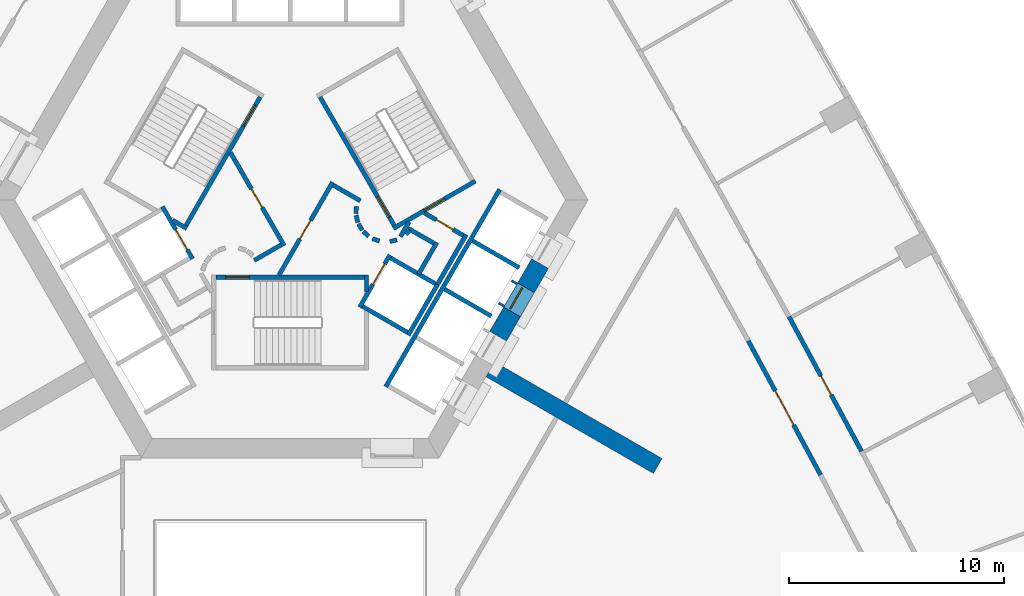
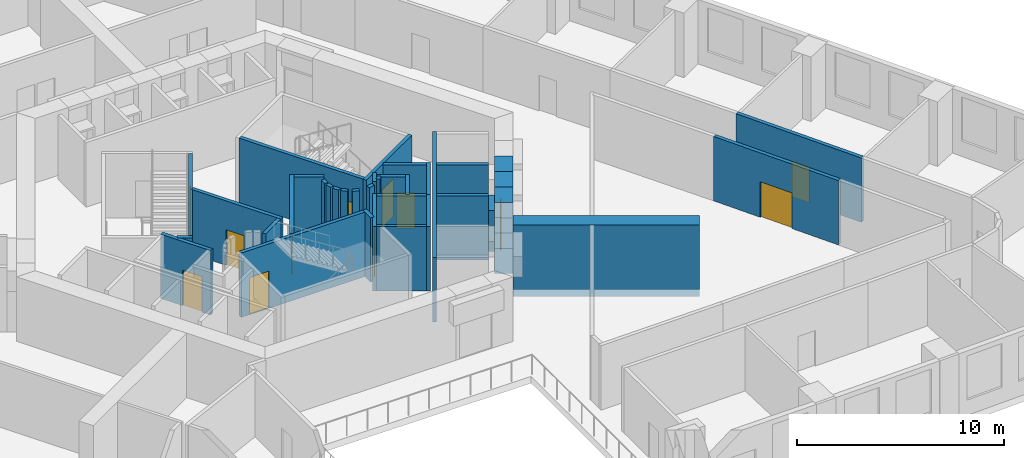
# One storey, part 7 of 13: 37 walls, 12 doors, 12 openings.
"""IFC4 building model written with IfcOpenShell, lengths in metres."""

from ifc_helpers import new_model, si_unit, direction, frame, frame_2d, origin, place, context, subcontext, project, spatial, polyline, rectangle, outline, extrude, material, layer, layer_set, type_object, element, fill, save


model = new_model("IFC4")

# Units and contexts
model_context = context("Model", 3, precision=1e-05, world=origin(), true_north=direction((0.0, 1.0)))
body_context = subcontext(model_context, "Body", "Model", "MODEL_VIEW")
ifc_project = project(units=[si_unit("LENGTHUNIT", "METRE"), si_unit("AREAUNIT", "SQUARE_METRE"), si_unit("VOLUMEUNIT", "CUBIC_METRE"), si_unit("PLANEANGLEUNIT", "RADIAN"), si_unit("MASSUNIT", "GRAM", prefix="KILO")], contexts=[model_context])

# Site, building, storey
site_placement = place(None, origin())
site = spatial("IfcSite", under=ifc_project, at=site_placement, CompositionType="ELEMENT")
building_placement = place(site_placement, origin())
building = spatial("IfcBuilding", under=site, at=building_placement, Name="Entoto Arch Interchange Tower", CompositionType="ELEMENT")
storey_placement = place(building_placement, frame((0.0, 0.0, 90.800048828125)))
storey = spatial("IfcBuildingStorey", under=building, at=storey_placement, Name="L19", CompositionType="ELEMENT", Elevation=90.800048828125)

# Walls
ifc_material_1 = material(Name="Concrete C60/75", Category="concrete")
ifc_layer_1 = layer(ifc_material_1, 0.800048828125)
ifc_layer_set_1 = layer_set([ifc_layer_1], Name="Concrete C60/75")
wall_type_1 = type_object("IfcWallType", Name="Buttress wall 800 C60/75", PredefinedType="SHEAR", material=ifc_layer_set_1)
wall_1_placement = place(storey_placement, frame((9.31005859375, -5.375, -0.400146484375), z_axis=(0.0, 0.0, 1.0), x_axis=(0.866017533419, -0.500013631625, 0.0)))
element("IfcWall", 1, at=wall_1_placement, inside=storey, type_object=wall_type_1, Name="Buttress wall SE L19", PredefinedType="SHEAR", context=body_context, shape_type="SweptSolid", body=[
    extrude(rectangle(XDim=8.999755859375, YDim=0.800048828125, at=frame_2d((4.5, 0.0))), origin(), (0.0, 0.0, 1.0), 4.2001953125),
])
ifc_layer_2 = layer(ifc_material_1, 0.89990234375)
ifc_layer_set_2 = layer_set([ifc_layer_2], Name="Concrete C60/75")
wall_type_2 = type_object("IfcWallType", Name="Core wall 900 C60/75", PredefinedType="SHEAR", material=ifc_layer_set_2)
wall_2_placement = place(storey_placement, frame((0.0, 0.0, -0.400146484375)))
element("IfcWall", 2, at=wall_2_placement, inside=storey, type_object=wall_type_2, Name="Core wall SE L19", PredefinedType="SHEAR", context=body_context, shape_type="SweptSolid", body=[
    extrude(outline(polyline([(10.717041015625, -2.93701171875), (9.93798828125, -2.487060546875), (9.2880859375, -3.613037109375), (10.06689453125, -4.06298828125), (10.717041015625, -2.93701171875)])), origin(), (0.0, 0.0, 1.0), 4.2001953125),
])
wall_3_placement = place(storey_placement, frame((0.0, 0.0, -0.400146484375)))
element("IfcWall", 3, at=wall_3_placement, inside=storey, type_object=wall_type_2, Name="Core wall SE L19", PredefinedType="SHEAR", context=body_context, shape_type="SweptSolid", body=[
    extrude(outline(polyline([(12.01708984375, -0.68603515625), (11.238037109375, -0.236083984375), (10.587890625, -1.361083984375), (11.366943359375, -1.81103515625), (12.01708984375, -0.68603515625)])), origin(), (0.0, 0.0, 1.0), 4.2001953125),
])
wall_4_placement = place(storey_placement, frame((0.0, 0.0, 3.599853515625)))
element("IfcWall", 4, at=wall_4_placement, inside=storey, type_object=wall_type_2, Name="Core wall lintel SE L19", PredefinedType="SHEAR", context=body_context, shape_type="SweptSolid", body=[
    extrude(outline(polyline([(11.366943359375, -1.81103515625), (10.587890625, -1.361083984375), (9.93798828125, -2.487060546875), (10.717041015625, -2.93701171875), (11.366943359375, -1.81103515625)])), origin(), (0.0, 0.0, 1.0), 0.2001953125),
])

# Wall, opening, door
ifc_material_2 = material(Name="Concrete C40/50", Category="concrete")
ifc_layer_3 = layer(ifc_material_2, 1.199951171875)
ifc_layer_set_3 = layer_set([ifc_layer_3], Name="Concrete C40/50")
wall_type_3 = type_object("IfcWallType", Name="LIFT LANDING INFILL WALL", PredefinedType="STANDARD", material=ifc_layer_set_3)
wall_5_placement = place(storey_placement, frame((10.197998046875, -2.636962890625, 0.0), z_axis=(0.0, 0.0, 1.0), x_axis=(0.49989585183, 0.866085525409, 0.0)))
wall_5 = element("IfcWall", 5, at=wall_5_placement, inside=storey, type_object=wall_type_3, Name="Lift landing infill wall LR7 L19", PredefinedType="STANDARD", context=body_context, shape_type="SweptSolid", body=[
    extrude(rectangle(XDim=1.300048828125, YDim=1.199951171875, at=frame_2d((0.64990234375, 0.0))), origin(), (0.0, 0.0, 1.0), 2.39990234375),
])
opening_1_placement = place(wall_5_placement, frame((0.10009765625, 0.0, 0.0)))
opening_1 = element("IfcOpeningElement", 6, at=opening_1_placement, cuts=wall_5, Name="Opening LD-LR7-L19", PredefinedType="OPENING", context=body_context, shape_type="SweptSolid", body=[
    extrude(rectangle(XDim=1.10009765625, YDim=2.300048828125, at=frame_2d((0.550048828125, 1.14990234375))), frame((0.0, 0.60986328125, 0.0), z_axis=(0.0, -1.0, 0.0), x_axis=(1.0, 0.0, 0.0)), (0.0, 0.0, 1.0), 1.219970703125),
])
ifc_material_3 = material(Name="Stainless steel 1.4301 panels", Category="steel")
door_type_1 = type_object("IfcDoorType", Name="LIFT LANDING DOOR LD2 1100x2300", OperationType="SLIDING_TO_LEFT", PredefinedType="DOOR", material=ifc_material_3)
door_1_placement = place(opening_1_placement, origin())
door_1 = element("IfcDoor", 7, at=door_1_placement, inside=storey, type_object=door_type_1, Name="Lift landing door LR7 L19", OperationType="SLIDING_TO_LEFT", OverallHeight=2.300048828125, OverallWidth=1.10009765625, PredefinedType="DOOR", context=body_context, shape_type="SweptSolid", body=[
    extrude(rectangle(XDim=1.10009765625, YDim=2.300048828125, at=frame_2d((0.550048828125, 1.14990234375))), frame((0.0, 0.02490234375, 0.0), z_axis=(0.0, -1.0, 0.0), x_axis=(1.0, 0.0, 0.0)), (0.0, 0.0, 1.0), 0.050048828125),
])
fill(opening_1, door_1)

ifc_layer_4 = layer(ifc_material_2, 0.199951171875)
ifc_layer_set_4 = layer_set([ifc_layer_4], Name="Concrete C40/50")
wall_type_4 = type_object("IfcWallType", Name="LIFT SHAFT WALL 200", PredefinedType="STANDARD", material=ifc_layer_set_4)
wall_6_placement = place(storey_placement, frame((-5.93994140625, 2.18798828125, 0.0), z_axis=(0.0, 0.0, 1.0), x_axis=(0.49994636267, -0.866056369097, 0.0)))
wall_6 = element("IfcWall", 8, at=wall_6_placement, inside=storey, type_object=wall_type_4, Name="Shaft wall SW1 front", PredefinedType="STANDARD", context=body_context, shape_type="SweptSolid", body=[
    extrude(rectangle(XDim=2.800048828125, YDim=0.199951171875, at=frame_2d((1.39990234375, 0.0))), origin(), (0.0, 0.0, 1.0), 3.800048828125),
])
opening_2_placement = place(wall_6_placement, frame((1.22509765625, 0.0, 0.0)))
opening_2 = element("IfcOpeningElement", 9, at=opening_2_placement, cuts=wall_6, Name="Opening LD-FF2-L19", PredefinedType="OPENING", context=body_context, shape_type="SweptSolid", body=[
    extrude(rectangle(XDim=1.10009765625, YDim=2.10009765625, at=frame_2d((0.550048828125, 1.050048828125))), frame((0.0, 0.10986328125, 0.0), z_axis=(0.0, -1.0, 0.0), x_axis=(1.0, 0.0, 0.0)), (0.0, 0.0, 1.0), 0.219970703125),
])
door_type_2 = type_object("IfcDoorType", Name="LIFT LANDING DOOR LD1 1100x2100", OperationType="SLIDING_TO_LEFT", PredefinedType="DOOR", material=ifc_material_3)
door_2_placement = place(opening_2_placement, origin())
door_2 = element("IfcDoor", 10, at=door_2_placement, inside=storey, type_object=door_type_2, Name="Lift landing door FF2 L19", OperationType="SLIDING_TO_LEFT", OverallHeight=2.10009765625, OverallWidth=1.10009765625, PredefinedType="DOOR", context=body_context, shape_type="SweptSolid", body=[
    extrude(rectangle(XDim=1.10009765625, YDim=2.10009765625, at=frame_2d((0.550048828125, 1.050048828125))), frame((0.0, 0.02490234375, 0.0), z_axis=(0.0, -1.0, 0.0), x_axis=(1.0, 0.0, 0.0)), (0.0, 0.0, 1.0), 0.050048828125),
])
fill(opening_2, door_2)

wall_7_placement = place(storey_placement, frame((3.239990234375, -2.488037109375, 0.0), z_axis=(0.0, 0.0, 1.0), x_axis=(0.49994636267, 0.866056369097, 0.0)))
wall_7 = element("IfcWall", 11, at=wall_7_placement, inside=storey, type_object=wall_type_4, Name="Shaft wall SE1 front", PredefinedType="STANDARD", context=body_context, shape_type="SweptSolid", body=[
    extrude(rectangle(XDim=2.800048828125, YDim=0.199951171875, at=frame_2d((1.39990234375, 0.0))), origin(), (0.0, 0.0, 1.0), 3.800048828125),
])
opening_3_placement = place(wall_7_placement, frame((1.22509765625, 0.0, 0.0)))
opening_3 = element("IfcOpeningElement", 12, at=opening_3_placement, cuts=wall_7, Name="Opening LD-FF1-L19", PredefinedType="OPENING", context=body_context, shape_type="SweptSolid", body=[
    extrude(rectangle(XDim=1.10009765625, YDim=2.10009765625, at=frame_2d((0.550048828125, 1.050048828125))), frame((0.0, 0.10986328125, 0.0), z_axis=(0.0, -1.0, 0.0), x_axis=(1.0, 0.0, 0.0)), (0.0, 0.0, 1.0), 0.219970703125),
])
door_3_placement = place(opening_3_placement, origin())
door_3 = element("IfcDoor", 13, at=door_3_placement, inside=storey, type_object=door_type_2, Name="Lift landing door FF1 L19", OperationType="SLIDING_TO_LEFT", OverallHeight=2.10009765625, OverallWidth=1.10009765625, PredefinedType="DOOR", context=body_context, shape_type="SweptSolid", body=[
    extrude(rectangle(XDim=1.10009765625, YDim=2.10009765625, at=frame_2d((0.550048828125, 1.050048828125))), frame((0.0, 0.02490234375, 0.0), z_axis=(0.0, -1.0, 0.0), x_axis=(1.0, 0.0, 0.0)), (0.0, 0.0, 1.0), 0.050048828125),
])
fill(opening_3, door_3)

# Walls
wall_8_placement = place(storey_placement, frame((5.491943359375, -3.7880859375, 0.0), z_axis=(0.0, 0.0, 1.0), x_axis=(0.500011755427, 0.866018616679, 0.0)))
element("IfcWall", 14, at=wall_8_placement, inside=storey, type_object=wall_type_4, Name="Shaft wall SE1 back", PredefinedType="STANDARD", context=body_context, shape_type="SweptSolid", body=[
    extrude(rectangle(XDim=2.80029296875, YDim=0.199951171875, at=frame_2d((1.400146484375, 0.0))), origin(), (0.0, 0.0, 1.0), 3.800048828125),
])
wall_9_placement = place(storey_placement, frame((3.376953125, -2.451904296875, 0.0), z_axis=(0.0, 0.0, 1.0), x_axis=(0.865955154139, -0.50012165622, 0.0)))
element("IfcWall", 15, at=wall_9_placement, inside=storey, type_object=wall_type_4, Name="Shaft wall SE1 cross 1", PredefinedType="STANDARD", context=body_context, shape_type="SweptSolid", body=[
    extrude(rectangle(XDim=2.39990234375, YDim=0.199951171875, at=frame_2d((1.199951171875, 0.0))), origin(), (0.0, 0.0, 1.0), 3.800048828125),
])
wall_10_placement = place(storey_placement, frame((4.677001953125, -0.199951171875, 0.0), z_axis=(0.0, 0.0, 1.0), x_axis=(0.865973769406, -0.500089422704, 0.0)))
element("IfcWall", 16, at=wall_10_placement, inside=storey, type_object=wall_type_4, Name="Shaft wall SE1 cross 2", PredefinedType="STANDARD", context=body_context, shape_type="SweptSolid", body=[
    extrude(rectangle(XDim=2.3994140625, YDim=0.199951171875, at=frame_2d((1.19970703125, 0.0))), origin(), (0.0, 0.0, 1.0), 3.800048828125),
])
wall_11_placement = place(storey_placement, frame((4.450927734375, -6.18994140625, 0.0), z_axis=(0.0, 0.0, 1.0), x_axis=(0.50000090737, 0.866024879913, 0.0)))
element("IfcWall", 17, at=wall_11_placement, inside=storey, type_object=wall_type_4, Name="Shaft wall SE3 front", PredefinedType="STANDARD", context=body_context, shape_type="SweptSolid", body=[
    extrude(rectangle(XDim=10.60009765625, YDim=0.199951171875, at=frame_2d((5.300048828125, 0.0))), origin(), (0.0, 0.0, 1.0), 3.800048828125),
])
for number, where, z_axis, x_axis, name in (
    (18, (7.18798828125, -1.64990234375, 0.0), (0.0, 0.0, 1.0), (0.866022959057, -0.500004234368, 0.0), "Shaft wall SE3 cross 3"),
    (19, (8.488037109375, 0.60205078125, 0.0), (0.0, 0.0, 1.0), (0.866022959057, -0.500004234368, 0.0), "Shaft wall SE3 cross 4"),
):
    element("IfcWall", number, at=place(storey_placement, frame(where, z_axis=z_axis, x_axis=x_axis)), inside=storey, type_object=wall_type_4, Name=name, PredefinedType="STANDARD", context=body_context, shape_type="SweptSolid", body=[
        extrude(rectangle(XDim=2.5, YDim=0.199951171875, at=frame_2d((1.25, 0.0))), origin(), (0.0, 0.0, 1.0), 3.800048828125),
    ])

# Wall, opening, door
ifc_material_4 = material(Name="Gypsum board partition on steel studs", Category="steel")
ifc_layer_5 = layer(ifc_material_4, 0.199951171875)
ifc_layer_set_5 = layer_set([ifc_layer_5], Name="Gypsum board partition on steel studs")
wall_type_5 = type_object("IfcWallType", Name="PARTITION 200", PredefinedType="PARTITIONING", material=ifc_layer_set_5)
wall_12_placement = place(storey_placement, frame((24.677978515625, -10.2900390625, 0.0), z_axis=(0.0, 0.0, 1.0), x_axis=(-0.474391588657, 0.880313932987, 0.0)))
wall_12 = element("IfcWall", 20, at=wall_12_placement, inside=storey, type_object=wall_type_5, Name="wall:L19:p017", PredefinedType="PARTITIONING", context=body_context, shape_type="SweptSolid", body=[
    extrude(rectangle(XDim=7.0849609375, YDim=0.199951171875, at=frame_2d((3.54248046875, 0.0))), origin(), (0.0, 0.0, 1.0), 3.800048828125),
])
opening_4_placement = place(wall_12_placement, frame((2.64208984375, 0.0, 0.0)))
opening_4 = element("IfcOpeningElement", 21, at=opening_4_placement, cuts=wall_12, Name="Opening L19-D23", PredefinedType="OPENING", context=body_context, shape_type="SweptSolid", body=[
    extrude(rectangle(XDim=1.800048828125, YDim=2.10009765625, at=frame_2d((0.89990234375, 1.050048828125))), frame((0.0, 0.10986328125, 0.0), z_axis=(0.0, -1.0, 0.0), x_axis=(1.0, 0.0, 0.0)), (0.0, 0.0, 1.0), 0.219970703125),
])
ifc_material_5 = material(Name="Timber door leaf in Steel S235 frame", Category="steel")
door_type_3 = type_object("IfcDoorType", Name="DOOR DD-18 1800x2100", OperationType="DOUBLE_DOOR_SINGLE_SWING", PredefinedType="DOOR", material=ifc_material_5)
door_4_placement = place(opening_4_placement, origin())
door_4 = element("IfcDoor", 22, at=door_4_placement, inside=storey, type_object=door_type_3, Name="door:L19:23", OperationType="DOUBLE_DOOR_SINGLE_SWING", OverallHeight=2.10009765625, OverallWidth=1.800048828125, PredefinedType="DOOR", context=body_context, shape_type="SweptSolid", body=[
    extrude(rectangle(XDim=1.800048828125, YDim=2.10009765625, at=frame_2d((0.89990234375, 1.050048828125))), frame((0.0, 0.02490234375, 0.0), z_axis=(0.0, -1.0, 0.0), x_axis=(1.0, 0.0, 0.0)), (0.0, 0.0, 1.0), 0.050048828125),
])
fill(opening_4, door_4)

wall_13_placement = place(storey_placement, frame((23.2119140625, -2.931884765625, 0.0), z_axis=(0.0, 0.0, 1.0), x_axis=(0.474404892994, -0.880306763295, 0.0)))
wall_13 = element("IfcWall", 23, at=wall_13_placement, inside=storey, type_object=wall_type_5, Name="wall:L19:p040", PredefinedType="PARTITIONING", context=body_context, shape_type="SweptSolid", body=[
    extrude(rectangle(XDim=7.110107421875, YDim=0.199951171875, at=frame_2d((3.55517578125, 0.0))), origin(), (0.0, 0.0, 1.0), 3.800048828125),
])
opening_5_placement = place(wall_13_placement, frame((3.1298828125, 0.0, 0.0)))
opening_5 = element("IfcOpeningElement", 24, at=opening_5_placement, cuts=wall_13, Name="Opening L19-D06", PredefinedType="OPENING", context=body_context, shape_type="SweptSolid", body=[
    extrude(rectangle(XDim=1.0, YDim=2.10009765625, at=frame_2d((0.5, 1.050048828125))), frame((0.0, 0.10986328125, 0.0), z_axis=(0.0, -1.0, 0.0), x_axis=(1.0, 0.0, 0.0)), (0.0, 0.0, 1.0), 0.219970703125),
])
door_type_4 = type_object("IfcDoorType", Name="DOOR DS-10 1000x2100", OperationType="SINGLE_SWING_LEFT", PredefinedType="DOOR", material=ifc_material_5)
door_5_placement = place(opening_5_placement, origin())
door_5 = element("IfcDoor", 25, at=door_5_placement, inside=storey, type_object=door_type_4, Name="door:L19:06", OperationType="SINGLE_SWING_LEFT", OverallHeight=2.10009765625, OverallWidth=1.0, PredefinedType="DOOR", context=body_context, shape_type="SweptSolid", body=[
    extrude(rectangle(XDim=1.0, YDim=2.10009765625, at=frame_2d((0.5, 1.050048828125))), frame((0.0, 0.02490234375, 0.0), z_axis=(0.0, -1.0, 0.0), x_axis=(1.0, 0.0, 0.0)), (0.0, 0.0, 1.0), 0.050048828125),
])
fill(opening_5, door_5)

# Walls
wall_14_placement = place(storey_placement, frame((5.389892578125, 0.89794921875, 0.0), z_axis=(0.0, 0.0, 1.0), x_axis=(0.673828488714, 0.738887791073, 0.0)))
element("IfcWall", 26, at=wall_14_placement, inside=storey, type_object=wall_type_5, Name="wall:L19:p066", PredefinedType="PARTITIONING", context=body_context, shape_type="SweptSolid", body=[
    extrude(rectangle(XDim=0.2626953125, YDim=0.199951171875, at=frame_2d((0.13134765625, 0.0))), origin(), (0.0, 0.0, 1.0), 3.800048828125),
])
wall_15_placement = place(storey_placement, frame((5.4990234375, 1.172119140625, 0.0), z_axis=(0.0, 0.0, 1.0), x_axis=(0.866333505267, -0.499465972466, 0.0)))
element("IfcWall", 27, at=wall_15_placement, inside=storey, type_object=wall_type_5, Name="wall:L19:p067", PredefinedType="PARTITIONING", context=body_context, shape_type="SweptSolid", body=[
    extrude(rectangle(XDim=1.37353515625, YDim=0.199951171875, at=frame_2d((0.686767578125, 0.0))), origin(), (0.0, 0.0, 1.0), 3.800048828125),
])
wall_16_placement = place(storey_placement, frame((6.825927734375, 0.52197265625, 0.0), z_axis=(0.0, 0.0, 1.0), x_axis=(-0.500016722714, -0.866015748706, 0.0)))
element("IfcWall", 28, at=wall_16_placement, inside=storey, type_object=wall_type_5, Name="wall:L19:p068", PredefinedType="PARTITIONING", context=body_context, shape_type="SweptSolid", body=[
    extrude(rectangle(XDim=1.69970703125, YDim=0.199951171875, at=frame_2d((0.849853515625, 0.0))), origin(), (0.0, 0.0, 1.0), 3.800048828125),
])

# Wall, opening, door
wall_17_placement = place(storey_placement, frame((6.25, 1.89404296875, 0.0), z_axis=(0.0, 0.0, 1.0), x_axis=(0.866043184279, -0.499969202016, 0.0)))
wall_17 = element("IfcWall", 29, at=wall_17_placement, inside=storey, type_object=wall_type_5, Name="wall:L19:p069", PredefinedType="PARTITIONING", context=body_context, shape_type="SweptSolid", body=[
    extrude(rectangle(XDim=2.084228515625, YDim=0.199951171875, at=frame_2d((1.0419921875, 0.0))), origin(), (0.0, 0.0, 1.0), 3.800048828125),
])
opening_6_placement = place(wall_17_placement, frame((0.64208984375, 0.0, 0.0)))
opening_6 = element("IfcOpeningElement", 30, at=opening_6_placement, cuts=wall_17, Name="Opening L19-D34", PredefinedType="OPENING", context=body_context, shape_type="SweptSolid", body=[
    extrude(rectangle(XDim=0.89990234375, YDim=2.10009765625, at=frame_2d((0.449951171875, 1.050048828125))), frame((0.0, 0.10986328125, 0.0), z_axis=(0.0, -1.0, 0.0), x_axis=(1.0, 0.0, 0.0)), (0.0, 0.0, 1.0), 0.219970703125),
])
door_type_5 = type_object("IfcDoorType", Name="DOOR DS-09 900x2100", OperationType="SINGLE_SWING_LEFT", PredefinedType="DOOR", material=ifc_material_5)
door_6_placement = place(opening_6_placement, origin())
door_6 = element("IfcDoor", 31, at=door_6_placement, inside=storey, type_object=door_type_5, Name="door:L19:34", OperationType="SINGLE_SWING_LEFT", OverallHeight=2.10009765625, OverallWidth=0.89990234375, PredefinedType="DOOR", context=body_context, shape_type="SweptSolid", body=[
    extrude(rectangle(XDim=0.89990234375, YDim=2.10009765625, at=frame_2d((0.449951171875, 1.050048828125))), frame((0.0, 0.02490234375, 0.0), z_axis=(0.0, -1.0, 0.0), x_axis=(1.0, 0.0, 0.0)), (0.0, 0.0, 1.0), 0.050048828125),
])
fill(opening_6, door_6)

# Walls
wall_18_placement = place(storey_placement, frame((8.19189453125, 0.887939453125, 0.0), z_axis=(0.0, 0.0, 1.0), x_axis=(-0.499940625693, -0.866059680843, 0.0)))
element("IfcWall", 32, at=wall_18_placement, inside=storey, type_object=wall_type_5, Name="wall:L19:p070", PredefinedType="PARTITIONING", context=body_context, shape_type="SweptSolid", body=[
    extrude(rectangle(XDim=2.679931640625, YDim=0.199951171875, at=frame_2d((1.33984375, 0.0))), origin(), (0.0, 0.0, 1.0), 3.800048828125),
])
wall_19_placement = place(storey_placement, frame((5.135009765625, 0.79296875, 0.0), z_axis=(0.0, 0.0, 1.0), x_axis=(0.499526442893, 0.866298639529, 0.0)))
element("IfcWall", 33, at=wall_19_placement, inside=storey, type_object=wall_type_5, Name="wall:L19:p071", PredefinedType="PARTITIONING", context=body_context, shape_type="SweptSolid", body=[
    extrude(rectangle(XDim=0.790771484375, YDim=0.199951171875, at=frame_2d((0.3955078125, 0.0))), origin(), (0.0, 0.0, 1.0), 3.800048828125),
])

# Wall, opening, door
wall_20_placement = place(storey_placement, frame((-0.52001953125, -1.0, 0.0), z_axis=(0.0, 0.0, 1.0), x_axis=(0.50011622646, 0.865958290007, 0.0)))
wall_20 = element("IfcWall", 34, at=wall_20_placement, inside=storey, type_object=wall_type_5, Name="wall:L19:p077", PredefinedType="PARTITIONING", context=body_context, shape_type="SweptSolid", body=[
    extrude(rectangle(XDim=4.990966796875, YDim=0.199951171875, at=frame_2d((2.49560546875, 0.0))), origin(), (0.0, 0.0, 1.0), 3.800048828125),
])
opening_7_placement = place(wall_20_placement, frame((1.945068359375, 0.0, 0.0)))
opening_7 = element("IfcOpeningElement", 35, at=opening_7_placement, cuts=wall_20, Name="Opening L19-D32", PredefinedType="OPENING", context=body_context, shape_type="SweptSolid", body=[
    extrude(rectangle(XDim=1.0, YDim=2.10009765625, at=frame_2d((0.5, 1.050048828125))), frame((0.0, 0.10986328125, 0.0), z_axis=(0.0, -1.0, 0.0), x_axis=(1.0, 0.0, 0.0)), (0.0, 0.0, 1.0), 0.219970703125),
])
ifc_material_6 = material(Name="Fire-rated Steel S235 door and frame", Category="steel")
door_type_6 = type_object("IfcDoorType", Name="DOOR FD-10 1000x2100", OperationType="SINGLE_SWING_LEFT", PredefinedType="DOOR", material=ifc_material_6)
door_7_placement = place(opening_7_placement, origin())
door_7 = element("IfcDoor", 36, at=door_7_placement, inside=storey, type_object=door_type_6, Name="door:L19:32", OperationType="SINGLE_SWING_LEFT", OverallHeight=2.10009765625, OverallWidth=1.0, PredefinedType="DOOR", context=body_context, shape_type="SweptSolid", body=[
    extrude(rectangle(XDim=1.0, YDim=2.10009765625, at=frame_2d((0.5, 1.050048828125))), frame((0.0, 0.02490234375, 0.0), z_axis=(0.0, -1.0, 0.0), x_axis=(1.0, 0.0, 0.0)), (0.0, 0.0, 1.0), 0.050048828125),
])
fill(opening_7, door_7)

# Walls
wall_21_placement = place(storey_placement, frame((2.011962890625, 3.18603515625, 0.0), z_axis=(0.0, 0.0, 1.0), x_axis=(0.865891012941, -0.500232699559, 0.0)))
element("IfcWall", 37, at=wall_21_placement, inside=storey, type_object=wall_type_5, Name="wall:L19:p078", PredefinedType="PARTITIONING", context=body_context, shape_type="SweptSolid", body=[
    extrude(rectangle(XDim=1.449462890625, YDim=0.199951171875, at=frame_2d((0.724609375, 0.0))), origin(), (0.0, 0.0, 1.0), 3.800048828125),
])
wall_22_placement = place(storey_placement, frame((3.0791015625, 2.198974609375, 0.0), z_axis=(0.0, 0.0, 1.0), x_axis=(-0.047771483479, -0.998858290933, 0.0)))
element("IfcWall", 38, at=wall_22_placement, inside=storey, type_object=wall_type_5, Name="wall:L19:p079", PredefinedType="PARTITIONING", context=body_context, shape_type="SweptSolid", body=[
    extrude(rectangle(XDim=0.33740234375, YDim=0.199951171875, at=frame_2d((0.168701171875, 0.0))), origin(), (0.0, 0.0, 1.0), 3.800048828125),
])
wall_23_placement = place(storey_placement, frame((3.070068359375, 1.785888671875, 0.0), z_axis=(0.0, 0.0, 1.0), x_axis=(0.242705583207, -0.970099994784, 0.0)))
element("IfcWall", 39, at=wall_23_placement, inside=storey, type_object=wall_type_5, Name="wall:L19:p080", PredefinedType="PARTITIONING", context=body_context, shape_type="SweptSolid", body=[
    extrude(rectangle(XDim=0.337890625, YDim=0.199951171875, at=frame_2d((0.1689453125, 0.0))), origin(), (0.0, 0.0, 1.0), 3.800048828125),
])
for number, where, z_axis, x_axis, name in (
    (40, (3.181884765625, 1.387939453125, 0.0), (0.0, 0.0, 1.0), (0.512474702713, -0.85870232274, 0.0), "wall:L19:p081"),
    (41, (3.404052734375, 1.0390625, 0.0), (0.0, 0.0, 1.0), (0.740267097712, -0.672312891476, 0.0), "wall:L19:p082"),
):
    element("IfcWall", number, at=place(storey_placement, frame(where, z_axis=z_axis, x_axis=x_axis)), inside=storey, type_object=wall_type_5, Name=name, PredefinedType="PARTITIONING", context=body_context, shape_type="SweptSolid", body=[
        extrude(rectangle(XDim=0.337646484375, YDim=0.199951171875, at=frame_2d((0.1689453125, 0.0))), origin(), (0.0, 0.0, 1.0), 3.800048828125),
    ])
wall_24_placement = place(storey_placement, frame((3.837890625, 0.701904296875, 0.0), z_axis=(0.0, 0.0, 1.0), x_axis=(0.941035081519, -0.338308993895, 0.0)))
element("IfcWall", 42, at=wall_24_placement, inside=storey, type_object=wall_type_5, Name="wall:L19:p083", PredefinedType="PARTITIONING", context=body_context, shape_type="SweptSolid", body=[
    extrude(rectangle(XDim=0.3369140625, YDim=0.199951171875, at=frame_2d((0.16845703125, 0.0))), origin(), (0.0, 0.0, 1.0), 3.800048828125),
])
wall_25_placement = place(storey_placement, frame((4.64404296875, 0.56396484375, 0.0), z_axis=(0.0, 0.0, 1.0), x_axis=(0.969929076366, 0.243387729394, 0.0)))
element("IfcWall", 43, at=wall_25_placement, inside=storey, type_object=wall_type_5, Name="wall:L19:p084", PredefinedType="PARTITIONING", context=body_context, shape_type="SweptSolid", body=[
    extrude(rectangle(XDim=0.337158203125, YDim=0.199951171875, at=frame_2d((0.16845703125, 0.0))), origin(), (0.0, 0.0, 1.0), 3.800048828125),
])

# Wall, opening, door
wall_26_placement = place(storey_placement, frame((-2.77099609375, 4.699951171875, 0.0), z_axis=(0.0, 0.0, 1.0), x_axis=(0.499969479948, -0.866043023828, 0.0)))
wall_26 = element("IfcWall", 44, at=wall_26_placement, inside=storey, type_object=wall_type_5, Name="wall:L19:p085", PredefinedType="PARTITIONING", context=body_context, shape_type="SweptSolid", body=[
    extrude(rectangle(XDim=4.990478515625, YDim=0.199951171875, at=frame_2d((2.4951171875, 0.0))), origin(), (0.0, 0.0, 1.0), 3.800048828125),
])
opening_8_placement = place(wall_26_placement, frame((1.945068359375, 0.0, 0.0)))
opening_8 = element("IfcOpeningElement", 45, at=opening_8_placement, cuts=wall_26, Name="Opening L19-D33", PredefinedType="OPENING", context=body_context, shape_type="SweptSolid", body=[
    extrude(rectangle(XDim=1.0, YDim=2.10009765625, at=frame_2d((0.5, 1.050048828125))), frame((0.0, 0.10986328125, 0.0), z_axis=(0.0, -1.0, 0.0), x_axis=(1.0, 0.0, 0.0)), (0.0, 0.0, 1.0), 0.219970703125),
])
door_8_placement = place(opening_8_placement, origin())
door_8 = element("IfcDoor", 46, at=door_8_placement, inside=storey, type_object=door_type_6, Name="door:L19:33", OperationType="SINGLE_SWING_RIGHT", OverallHeight=2.10009765625, OverallWidth=1.0, PredefinedType="DOOR", context=body_context, shape_type="SweptSolid", body=[
    extrude(rectangle(XDim=1.0, YDim=2.10009765625, at=frame_2d((0.5, 1.050048828125))), frame((0.0, 0.02490234375, 0.0), z_axis=(0.0, -1.0, 0.0), x_axis=(1.0, 0.0, 0.0)), (0.0, 0.0, 1.0), 0.050048828125),
])
fill(opening_8, door_8)

# Walls
wall_27_placement = place(storey_placement, frame((-0.412109375, 0.4140625, 0.0), z_axis=(0.0, 0.0, 1.0), x_axis=(-0.866017369001, -0.500013916395, 0.0)))
element("IfcWall", 47, at=wall_27_placement, inside=storey, type_object=wall_type_5, Name="wall:L19:p086", PredefinedType="PARTITIONING", context=body_context, shape_type="SweptSolid", body=[
    extrude(rectangle(XDim=1.4501953125, YDim=0.199951171875, at=frame_2d((0.72509765625, 0.0))), origin(), (0.0, 0.0, 1.0), 3.800048828125),
])
ifc_layer_6 = layer(ifc_material_2, 0.199951171875)
ifc_layer_set_6 = layer_set([ifc_layer_6], Name="Concrete C40/50")
wall_type_6 = type_object("IfcWallType", Name="STAIR ENCLOSURE WALL 200", PredefinedType="STANDARD", material=ifc_layer_set_6)
wall_28_placement = place(storey_placement, frame((3.550048828125, -1.0, 0.0), z_axis=(0.0, 0.0, 1.0), x_axis=(0.0, -1.0, 0.0)))
element("IfcWall", 48, at=wall_28_placement, inside=storey, type_object=wall_type_6, Name="Stair wall ST-S far return", PredefinedType="STANDARD", context=body_context, shape_type="SweptSolid", body=[
    extrude(rectangle(XDim=0.7509765625, YDim=0.199951171875, at=frame_2d((0.37548828125, 0.0))), origin(), (0.0, 0.0, 1.0), 3.800048828125),
])

# Wall, opening, door
wall_29_placement = place(storey_placement, frame((-3.449951171875, -1.10009765625, 0.0), z_axis=(0.0, 0.0, 1.0), x_axis=(1.0, 0.0, 0.0)))
wall_29 = element("IfcWall", 49, at=wall_29_placement, inside=storey, type_object=wall_type_6, Name="Stair wall ST-S hall", PredefinedType="STANDARD", context=body_context, shape_type="SweptSolid", body=[
    extrude(rectangle(XDim=6.89990234375, YDim=0.199951171875, at=frame_2d((3.449951171875, 0.0))), origin(), (0.0, 0.0, 1.0), 3.800048828125),
])
opening_9_placement = place(wall_29_placement, frame((0.449951171875, 0.0, 0.0)))
opening_9 = element("IfcOpeningElement", 50, at=opening_9_placement, cuts=wall_29, Name="Opening SD-ST-S-L19", PredefinedType="OPENING", context=body_context, shape_type="SweptSolid", body=[
    extrude(rectangle(XDim=1.10009765625, YDim=2.199951171875, at=frame_2d((0.550048828125, 1.10009765625))), frame((0.0, 0.10986328125, 0.0), z_axis=(0.0, -1.0, 0.0), x_axis=(1.0, 0.0, 0.0)), (0.0, 0.0, 1.0), 0.219970703125),
])
ifc_material_7 = material(Name="Steel S235", Category="steel")
door_type_7 = type_object("IfcDoorType", Name="STAIR DOOR SD1 1100x2200", OperationType="SINGLE_SWING_LEFT", PredefinedType="DOOR", material=ifc_material_7)
door_9_placement = place(opening_9_placement, origin())
door_9 = element("IfcDoor", 51, at=door_9_placement, inside=storey, type_object=door_type_7, Name="Stair door ST-S L19", OperationType="SINGLE_SWING_LEFT", OverallHeight=2.199951171875, OverallWidth=1.10009765625, PredefinedType="DOOR", context=body_context, shape_type="SweptSolid", body=[
    extrude(rectangle(XDim=1.10009765625, YDim=2.199951171875, at=frame_2d((0.550048828125, 1.10009765625))), frame((0.0, 0.02490234375, 0.0), z_axis=(0.0, -1.0, 0.0), x_axis=(1.0, 0.0, 0.0)), (0.0, 0.0, 1.0), 0.050048828125),
])
fill(opening_9, door_9)

wall_30_placement = place(storey_placement, frame((4.805908203125, 1.176025390625, 0.0), z_axis=(0.0, 0.0, 1.0), x_axis=(0.866059941101, 0.499940174841, 0.0)))
wall_30 = element("IfcWall", 52, at=wall_30_placement, inside=storey, type_object=wall_type_6, Name="Stair wall ST-NE near", PredefinedType="STANDARD", context=body_context, shape_type="SweptSolid", body=[
    extrude(rectangle(XDim=4.400390625, YDim=0.199951171875, at=frame_2d((2.2001953125, 0.0))), origin(), (0.0, 0.0, 1.0), 3.800048828125),
])
opening_10_placement = place(wall_30_placement, frame((1.64990234375, 0.0, 0.0)))
opening_10 = element("IfcOpeningElement", 53, at=opening_10_placement, cuts=wall_30, Name="Opening SD-ST-NE-L19-E", PredefinedType="OPENING", context=body_context, shape_type="SweptSolid", body=[
    extrude(rectangle(XDim=1.10009765625, YDim=2.199951171875, at=frame_2d((0.550048828125, 1.10009765625))), frame((0.0, 0.10986328125, 0.0), z_axis=(0.0, -1.0, 0.0), x_axis=(1.0, 0.0, 0.0)), (0.0, 0.0, 1.0), 0.219970703125),
])
door_10_placement = place(opening_10_placement, origin())
door_10 = element("IfcDoor", 54, at=door_10_placement, inside=storey, type_object=door_type_7, Name="Stair door ST-NE L19 end", OperationType="SINGLE_SWING_LEFT", OverallHeight=2.199951171875, OverallWidth=1.10009765625, PredefinedType="DOOR", context=body_context, shape_type="SweptSolid", body=[
    extrude(rectangle(XDim=1.10009765625, YDim=2.199951171875, at=frame_2d((0.550048828125, 1.10009765625))), frame((0.0, 0.02490234375, 0.0), z_axis=(0.0, -1.0, 0.0), x_axis=(1.0, 0.0, 0.0)), (0.0, 0.0, 1.0), 0.050048828125),
])
fill(opening_10, door_10)

wall_31_placement = place(storey_placement, frame((4.843017578125, 1.31201171875, 0.0), z_axis=(0.0, 0.0, 1.0), x_axis=(-0.499963383562, 0.866046543262, 0.0)))
wall_31 = element("IfcWall", 55, at=wall_31_placement, inside=storey, type_object=wall_type_6, Name="Stair wall ST-NE hall", PredefinedType="STANDARD", context=body_context, shape_type="SweptSolid", body=[
    extrude(rectangle(XDim=6.900390625, YDim=0.199951171875, at=frame_2d((3.4501953125, 0.0))), origin(), (0.0, 0.0, 1.0), 3.800048828125),
])
opening_11_placement = place(wall_31_placement, frame((0.449951171875, 0.0, 0.0)))
opening_11 = element("IfcOpeningElement", 56, at=opening_11_placement, cuts=wall_31, Name="Opening SD-ST-NE-L19", PredefinedType="OPENING", context=body_context, shape_type="SweptSolid", body=[
    extrude(rectangle(XDim=1.10009765625, YDim=2.199951171875, at=frame_2d((0.550048828125, 1.10009765625))), frame((0.0, 0.10986328125, 0.0), z_axis=(0.0, -1.0, 0.0), x_axis=(1.0, 0.0, 0.0)), (0.0, 0.0, 1.0), 0.219970703125),
])
door_11_placement = place(opening_11_placement, origin())
door_11 = element("IfcDoor", 57, at=door_11_placement, inside=storey, type_object=door_type_7, Name="Stair door ST-NE L19", OperationType="SINGLE_SWING_LEFT", OverallHeight=2.199951171875, OverallWidth=1.10009765625, PredefinedType="DOOR", context=body_context, shape_type="SweptSolid", body=[
    extrude(rectangle(XDim=1.10009765625, YDim=2.199951171875, at=frame_2d((0.550048828125, 1.10009765625))), frame((0.0, 0.02490234375, 0.0), z_axis=(0.0, -1.0, 0.0), x_axis=(1.0, 0.0, 0.0)), (0.0, 0.0, 1.0), 0.050048828125),
])
fill(opening_11, door_11)

# Wall
wall_32_placement = place(storey_placement, frame((-4.805908203125, 1.176025390625, 0.0), z_axis=(0.0, 0.0, 1.0), x_axis=(-0.866558586415, 0.499075361355, 0.0)))
element("IfcWall", 58, at=wall_32_placement, inside=storey, type_object=wall_type_6, Name="Stair wall ST-NW far return", PredefinedType="STANDARD", context=body_context, shape_type="SweptSolid", body=[
    extrude(rectangle(XDim=0.75146484375, YDim=0.199951171875, at=frame_2d((0.375732421875, 0.0))), origin(), (0.0, 0.0, 1.0), 3.800048828125),
])

# Wall, opening, door
wall_33_placement = place(storey_placement, frame((-1.39306640625, 7.2880859375, 0.0), z_axis=(0.0, 0.0, 1.0), x_axis=(-0.499963383562, -0.866046543262, 0.0)))
wall_33 = element("IfcWall", 59, at=wall_33_placement, inside=storey, type_object=wall_type_6, Name="Stair wall ST-NW hall", PredefinedType="STANDARD", context=body_context, shape_type="SweptSolid", body=[
    extrude(rectangle(XDim=6.900390625, YDim=0.199951171875, at=frame_2d((3.4501953125, 0.0))), origin(), (0.0, 0.0, 1.0), 3.800048828125),
])
opening_12_placement = place(wall_33_placement, frame((0.449951171875, 0.0, 0.0)))
opening_12 = element("IfcOpeningElement", 60, at=opening_12_placement, cuts=wall_33, Name="Opening SD-ST-NW-L19", PredefinedType="OPENING", context=body_context, shape_type="SweptSolid", body=[
    extrude(rectangle(XDim=1.10009765625, YDim=2.199951171875, at=frame_2d((0.550048828125, 1.10009765625))), frame((0.0, 0.10986328125, 0.0), z_axis=(0.0, -1.0, 0.0), x_axis=(1.0, 0.0, 0.0)), (0.0, 0.0, 1.0), 0.219970703125),
])
door_12_placement = place(opening_12_placement, origin())
door_12 = element("IfcDoor", 61, at=door_12_placement, inside=storey, type_object=door_type_7, Name="Stair door ST-NW L19", OperationType="SINGLE_SWING_LEFT", OverallHeight=2.199951171875, OverallWidth=1.10009765625, PredefinedType="DOOR", context=body_context, shape_type="SweptSolid", body=[
    extrude(rectangle(XDim=1.10009765625, YDim=2.199951171875, at=frame_2d((0.550048828125, 1.10009765625))), frame((0.0, 0.02490234375, 0.0), z_axis=(0.0, -1.0, 0.0), x_axis=(1.0, 0.0, 0.0)), (0.0, 0.0, 1.0), 0.050048828125),
])
fill(opening_12, door_12)

save(model, "model.ifc")
